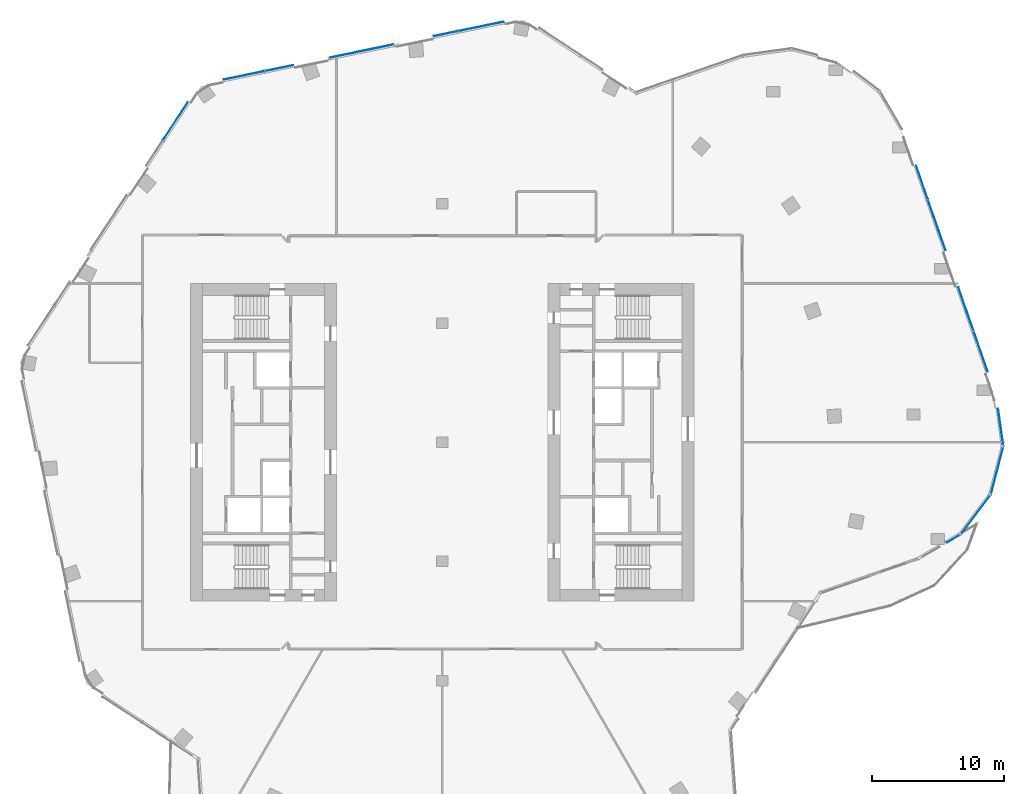
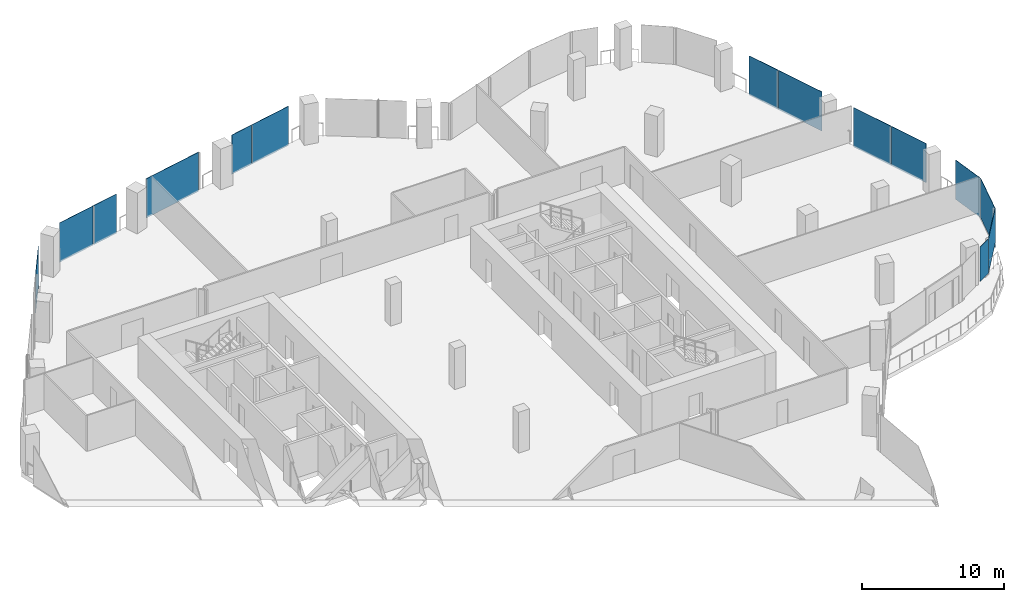
# One storey, part 15 of 26: 14 plates, 7 elements without a shape of their own.
"""IFC4 building model written with IfcOpenShell, lengths in metres."""

from ifc_helpers import new_model, si_unit, direction, frame, origin, origin_2d, place, context, subcontext, project, spatial, rectangle, extrude, material, layer, layer_set, type_object, element, aggregate, save


model = new_model("IFC4")

# Units and contexts
model_context = context("Model", 3, precision=1e-05, world=origin(), true_north=direction((0.0, 1.0)))
body_context = subcontext(model_context, "Body", "Model", "MODEL_VIEW")
ifc_project = project(units=[si_unit("LENGTHUNIT", "METRE"), si_unit("AREAUNIT", "SQUARE_METRE"), si_unit("VOLUMEUNIT", "CUBIC_METRE"), si_unit("PLANEANGLEUNIT", "RADIAN"), si_unit("MASSUNIT", "GRAM", prefix="KILO")], contexts=[model_context])

# Site, building, storey
site_placement = place(None, origin())
site = spatial("IfcSite", under=ifc_project, at=site_placement, CompositionType="ELEMENT")
building_placement = place(site_placement, origin())
building = spatial("IfcBuilding", under=site, at=building_placement, Name="Orlundy Tower", CompositionType="ELEMENT")
storey_placement = place(building_placement, frame((0.0, 0.0, 232.0)))
storey = spatial("IfcBuildingStorey", under=building, at=storey_placement, Name="L61", CompositionType="ELEMENT", Elevation=232.0)

# Curtain wall, plate
ifc_material_1 = material(Name="Aluminium bronze anodised", Category="aluminium")
curtain_wall_type = type_object("IfcCurtainWallType", Name="CW1 wall", PredefinedType="NOTDEFINED", material=ifc_material_1)
curtain_wall_1_placement = place(storey_placement, origin())
curtain_wall_1 = element("IfcCurtainWall", 1, at=curtain_wall_1_placement, inside=storey, type_object=curtain_wall_type, Name="CW1 run 015", PredefinedType="NOTDEFINED")
ifc_material_2 = material(Name="Tinted glass", Category="glass")
ifc_layer = layer(ifc_material_2, 0.031982421875)
ifc_layer_set = layer_set([ifc_layer], Name="CW1 glass panel 32")
plate_type = type_object("IfcPlateType", Name="CW1 glass panel 32", PredefinedType="CURTAIN_PANEL", material=ifc_layer_set)
plate_1_placement = place(storey_placement, frame((-20.15966796875, 24.24072265625, -0.280029296875), z_axis=(0.0, 0.0, 1.0), x_axis=(0.5495174705, 0.835482225793, 0.0)))
plate_1 = element("IfcPlate", 2, at=plate_1_placement, type_object=plate_type, Name="CW1 panel", PredefinedType="CURTAIN_PANEL", context=body_context, shape_type="SweptSolid", body=[
    extrude(rectangle(XDim=3.388671875, YDim=0.031982421875, at=origin_2d()), origin(), (0.0, 0.0, 1.0), 3.3798828125),
])
aggregate(curtain_wall_1, [plate_1])

# Curtain wall, plates
curtain_wall_2_placement = place(storey_placement, origin())
curtain_wall_2 = element("IfcCurtainWall", 3, at=curtain_wall_2_placement, inside=storey, type_object=curtain_wall_type, Name="CW1 run 016", PredefinedType="NOTDEFINED")
plate_2_placement = place(storey_placement, frame((-14.9697265625, 27.708984375, -0.280029296875), z_axis=(0.0, 0.0, 1.0), x_axis=(0.979337428215, 0.202233038095, 0.0)))
plate_2 = element("IfcPlate", 4, at=plate_2_placement, type_object=plate_type, Name="CW1 panel", PredefinedType="CURTAIN_PANEL", context=body_context, shape_type="SweptSolid", body=[
    extrude(rectangle(XDim=3.15283203125, YDim=0.031982421875, at=origin_2d()), origin(), (0.0, 0.0, 1.0), 3.3798828125),
])
plate_3_placement = place(storey_placement, frame((-12.32177734375, 28.255615234375, -0.280029296875), z_axis=(0.0, 0.0, 1.0), x_axis=(0.979337428215, 0.202233038095, 0.0)))
plate_3 = element("IfcPlate", 5, at=plate_3_placement, type_object=plate_type, Name="CW1 panel", PredefinedType="CURTAIN_PANEL", context=body_context, shape_type="SweptSolid", body=[
    extrude(rectangle(XDim=2.154541015625, YDim=0.031982421875, at=origin_2d()), origin(), (0.0, 0.0, 1.0), 3.3798828125),
])
plate_4_placement = place(storey_placement, frame((-6.099609375, 29.54052734375, -0.280029296875), z_axis=(0.0, 0.0, 1.0), x_axis=(0.979337428215, 0.202233038095, 0.0)))
plate_4 = element("IfcPlate", 6, at=plate_4_placement, type_object=plate_type, Name="CW1 panel", PredefinedType="CURTAIN_PANEL", context=body_context, shape_type="SweptSolid", body=[
    extrude(rectangle(XDim=4.92041015625, YDim=0.031982421875, at=origin_2d()), origin(), (0.0, 0.0, 1.0), 3.3798828125),
])
plate_5_placement = place(storey_placement, frame((0.276611328125, 30.857421875, -0.280029296875), z_axis=(0.0, 0.0, 1.0), x_axis=(0.979337428215, 0.202233038095, 0.0)))
plate_5 = element("IfcPlate", 7, at=plate_5_placement, type_object=plate_type, Name="CW1 panel", PredefinedType="CURTAIN_PANEL", context=body_context, shape_type="SweptSolid", body=[
    extrude(rectangle(XDim=1.83984375, YDim=0.031982421875, at=origin_2d()), origin(), (0.0, 0.0, 1.0), 3.3798828125),
])
plate_6_placement = place(storey_placement, frame((2.925048828125, 31.404296875, -0.280029296875), z_axis=(0.0, 0.0, 1.0), x_axis=(0.979337428215, 0.202233038095, 0.0)))
plate_6 = element("IfcPlate", 8, at=plate_6_placement, type_object=plate_type, Name="CW1 panel", PredefinedType="CURTAIN_PANEL", context=body_context, shape_type="SweptSolid", body=[
    extrude(rectangle(XDim=3.46875, YDim=0.031982421875, at=origin_2d()), origin(), (0.0, 0.0, 1.0), 3.3798828125),
])
aggregate(curtain_wall_2, [plate_2, plate_3, plate_4, plate_5, plate_6])

curtain_wall_3_placement = place(storey_placement, origin())
curtain_wall_3 = element("IfcCurtainWall", 9, at=curtain_wall_3_placement, inside=storey, type_object=curtain_wall_type, Name="CW1 run 023", PredefinedType="NOTDEFINED")
plate_7_placement = place(storey_placement, frame((36.237060546875, 19.602783203125, -0.280029296875), z_axis=(0.0, 0.0, 1.0), x_axis=(0.328287898416, -0.944577712924, 0.0)))
plate_7 = element("IfcPlate", 10, at=plate_7_placement, type_object=plate_type, Name="CW1 panel", PredefinedType="CURTAIN_PANEL", context=body_context, shape_type="SweptSolid", body=[
    extrude(rectangle(XDim=2.6875, YDim=0.031982421875, at=origin_2d()), origin(), (0.0, 0.0, 1.0), 3.3798828125),
])
plate_8_placement = place(storey_placement, frame((37.353515625, 16.39013671875, -0.280029296875), z_axis=(0.0, 0.0, 1.0), x_axis=(0.328287898416, -0.944577712924, 0.0)))
plate_8 = element("IfcPlate", 11, at=plate_8_placement, type_object=plate_type, Name="CW1 panel", PredefinedType="CURTAIN_PANEL", context=body_context, shape_type="SweptSolid", body=[
    extrude(rectangle(XDim=4.014404296875, YDim=0.031982421875, at=origin_2d()), origin(), (0.0, 0.0, 1.0), 3.3798828125),
])
plate_9_placement = place(storey_placement, frame((39.553466796875, 10.060546875, -0.280029296875), z_axis=(0.0, 0.0, 1.0), x_axis=(0.328287898416, -0.944577712924, 0.0)))
plate_9 = element("IfcPlate", 12, at=plate_9_placement, type_object=plate_type, Name="CW1 panel", PredefinedType="CURTAIN_PANEL", context=body_context, shape_type="SweptSolid", body=[
    extrude(rectangle(XDim=3.4833984375, YDim=0.031982421875, at=origin_2d()), origin(), (0.0, 0.0, 1.0), 3.3798828125),
])
plate_10_placement = place(storey_placement, frame((40.66748046875, 6.85546875, -0.280029296875), z_axis=(0.0, 0.0, 1.0), x_axis=(0.328287898416, -0.944577712924, 0.0)))
plate_10 = element("IfcPlate", 13, at=plate_10_placement, type_object=plate_type, Name="CW1 panel", PredefinedType="CURTAIN_PANEL", context=body_context, shape_type="SweptSolid", body=[
    extrude(rectangle(XDim=3.203369140625, YDim=0.031982421875, at=origin_2d()), origin(), (0.0, 0.0, 1.0), 3.3798828125),
])
aggregate(curtain_wall_3, [plate_7, plate_8, plate_9, plate_10])

# Curtain wall, plate
curtain_wall_4_placement = place(storey_placement, origin())
curtain_wall_4 = element("IfcCurtainWall", 14, at=curtain_wall_4_placement, inside=storey, type_object=curtain_wall_type, Name="CW1 run 024", PredefinedType="NOTDEFINED")
plate_11_placement = place(storey_placement, frame((42.1826171875, 1.115478515625, -0.280029296875), z_axis=(0.0, 0.0, 1.0), x_axis=(0.137832993566, -0.99045548405, 0.0)))
plate_11 = element("IfcPlate", 15, at=plate_11_placement, type_object=plate_type, Name="CW1 panel", PredefinedType="CURTAIN_PANEL", context=body_context, shape_type="SweptSolid", body=[
    extrude(rectangle(XDim=2.863525390625, YDim=0.031982421875, at=origin_2d()), origin(), (0.0, 0.0, 1.0), 3.3798828125),
])
aggregate(curtain_wall_4, [plate_11])

curtain_wall_5_placement = place(storey_placement, origin())
curtain_wall_5 = element("IfcCurtainWall", 16, at=curtain_wall_5_placement, inside=storey, type_object=curtain_wall_type, Name="CW1 run 025", PredefinedType="NOTDEFINED")
plate_12_placement = place(storey_placement, frame((41.9052734375, -2.127685546875, -0.280029296875), z_axis=(0.0, 0.0, 1.0), x_axis=(-0.251729885218, -0.967797533004, 0.0)))
plate_12 = element("IfcPlate", 17, at=plate_12_placement, type_object=plate_type, Name="CW1 panel", PredefinedType="CURTAIN_PANEL", context=body_context, shape_type="SweptSolid", body=[
    extrude(rectangle(XDim=3.771728515625, YDim=0.031982421875, at=origin_2d()), origin(), (0.0, 0.0, 1.0), 3.3798828125),
])
aggregate(curtain_wall_5, [plate_12])

curtain_wall_6_placement = place(storey_placement, origin())
curtain_wall_6 = element("IfcCurtainWall", 18, at=curtain_wall_6_placement, inside=storey, type_object=curtain_wall_type, Name="CW1 run 026", PredefinedType="NOTDEFINED")
plate_13_placement = place(storey_placement, frame((40.292724609375, -5.457275390625, 0.1201171875), z_axis=(0.0, 0.0, 1.0), x_axis=(-0.603145948405, -0.797630845017, 0.0)))
plate_13 = element("IfcPlate", 19, at=plate_13_placement, type_object=plate_type, Name="CW1 panel", PredefinedType="CURTAIN_PANEL", context=body_context, shape_type="SweptSolid", body=[
    extrude(rectangle(XDim=3.7724609375, YDim=0.031982421875, at=origin_2d()), origin(), (0.0, 0.0, 1.0), 2.97998046875),
])
aggregate(curtain_wall_6, [plate_13])

curtain_wall_7_placement = place(storey_placement, origin())
curtain_wall_7 = element("IfcCurtainWall", 20, at=curtain_wall_7_placement, inside=storey, type_object=curtain_wall_type, Name="CW1 run 027", PredefinedType="NOTDEFINED")
plate_14_placement = place(storey_placement, frame((38.63916015625, -7.264892578125, 0.1201171875), z_axis=(0.0, 0.0, 1.0), x_axis=(-0.862287730604, -0.506418670322, 0.0)))
plate_14 = element("IfcPlate", 21, at=plate_14_placement, type_object=plate_type, Name="CW1 panel", PredefinedType="CURTAIN_PANEL", context=body_context, shape_type="SweptSolid", body=[
    extrude(rectangle(XDim=1.197021484375, YDim=0.031982421875, at=origin_2d()), origin(), (0.0, 0.0, 1.0), 2.97998046875),
])
aggregate(curtain_wall_7, [plate_14])

save(model, "model.ifc")
